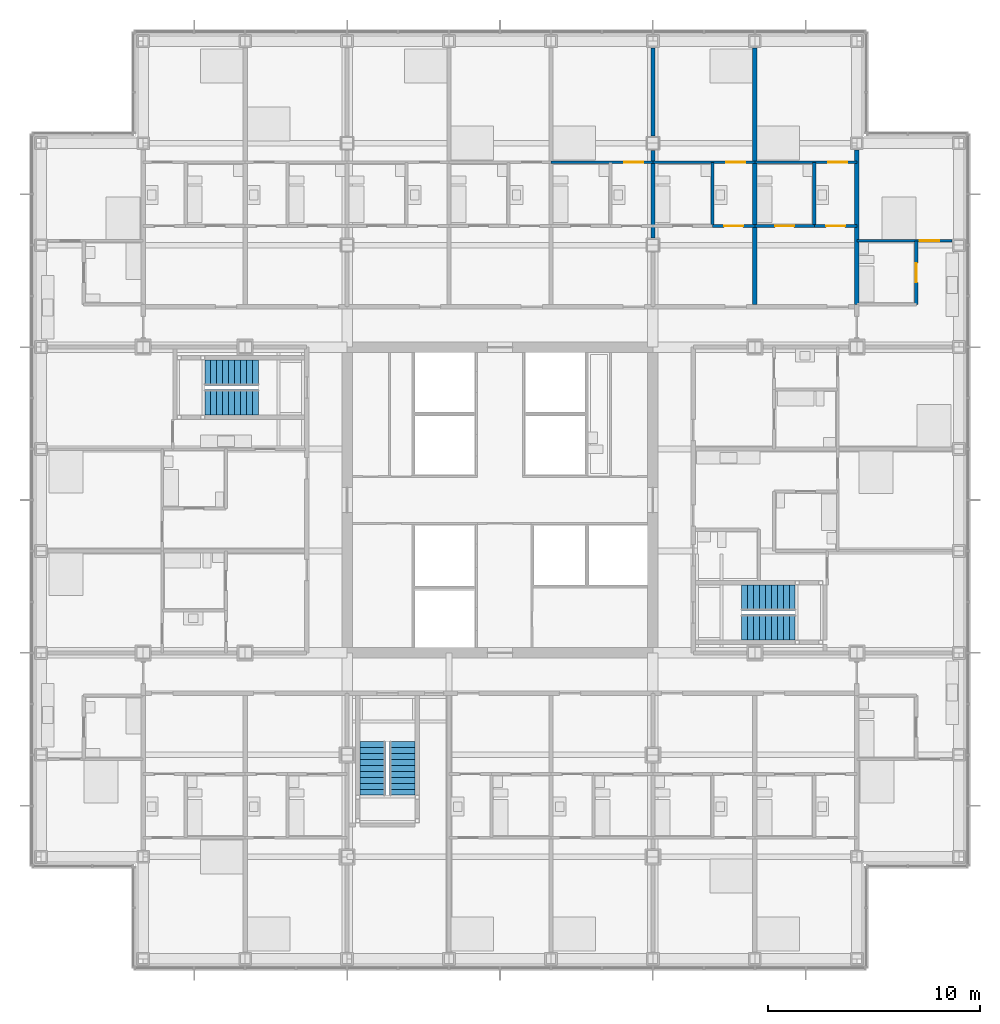
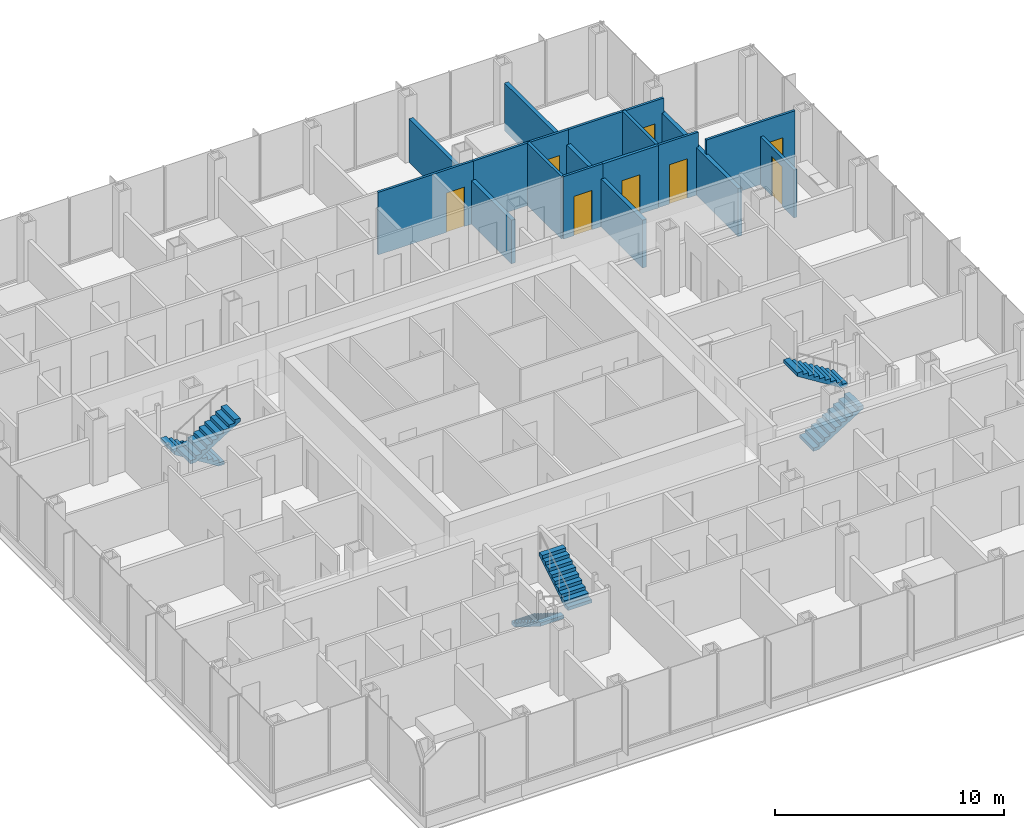
# One storey, part 19 of 22: 14 walls, 8 doors, 6 stair flights, 8 openings, 3 elements without a shape of their own.
"""IFC4 building model written with IfcOpenShell, lengths in metres."""

from ifc_helpers import new_model, si_unit, direction, frame, frame_2d, origin, place, context, subcontext, project, spatial, polyline, rectangle, outline, extrude, material, layer, layer_set, type_object, element, fill, aggregate, save


model = new_model("IFC4")

# Units and contexts
model_context = context("Model", 3, precision=1e-05, world=origin(), true_north=direction((0.0, 1.0)))
body_context = subcontext(model_context, "Body", "Model", "MODEL_VIEW")
ifc_project = project(units=[si_unit("LENGTHUNIT", "METRE"), si_unit("AREAUNIT", "SQUARE_METRE"), si_unit("VOLUMEUNIT", "CUBIC_METRE"), si_unit("PLANEANGLEUNIT", "RADIAN"), si_unit("MASSUNIT", "GRAM", prefix="KILO")], contexts=[model_context])

# Site, building, storey
site_placement = place(None, origin())
site = spatial("IfcSite", under=ifc_project, at=site_placement, CompositionType="ELEMENT")
building_placement = place(site_placement, origin())
building = spatial("IfcBuilding", under=site, at=building_placement, Name="Kvirike Care Tower", CompositionType="ELEMENT")
storey_placement = place(building_placement, frame((0.0, 0.0, 69.0)))
storey = spatial("IfcBuildingStorey", under=building, at=storey_placement, Name="L18", CompositionType="ELEMENT", Elevation=69.0)

# Wall, opening, door
ifc_material_1 = material(Name="Moisture-resistant board partition", Category="gypsum")
ifc_layer_1 = layer(ifc_material_1, 0.14990234375)
ifc_layer_set_1 = layer_set([ifc_layer_1], Name="BATHROOM WALL 150")
wall_type_1 = type_object("IfcWallType", Name="BATHROOM WALL 150", PredefinedType="PARTITIONING", material=ifc_layer_set_1)
wall_1_placement = place(storey_placement, frame((41.199951171875, 48.199951171875, 0.0), z_axis=(0.0, 0.0, 1.0), x_axis=(0.0, -1.0, 0.0)))
wall_1 = element("IfcWall", 1, at=wall_1_placement, inside=storey, type_object=wall_type_1, Name="Bathroom Wall 150 L18", PredefinedType="PARTITIONING", context=body_context, shape_type="SweptSolid", body=[
    extrude(rectangle(XDim=3.0, YDim=0.14990234375, at=frame_2d((1.5, 0.0))), origin(), (0.0, 0.0, 1.0), 2.550048828125),
])
opening_1_placement = place(wall_1_placement, frame((1.050048828125, 0.0, 0.0)))
opening_1 = element("IfcOpeningElement", 2, at=opening_1_placement, cuts=wall_1, Name="Opening 18-076", PredefinedType="OPENING", context=body_context, shape_type="SweptSolid", body=[
    extrude(rectangle(XDim=0.89990234375, YDim=2.10009765625, at=frame_2d((0.449951171875, 1.050048828125))), frame((0.0, 0.08544921875, 0.0), z_axis=(0.0, -1.0, 0.0), x_axis=(1.0, 0.0, 0.0)), (0.0, 0.0, 1.0), 0.1708984375),
])
ifc_material_2 = material(Name="Timber door set", Category="wood")
door_type_1 = type_object("IfcDoorType", Name="BATHROOM DOOR 900", OperationType="SINGLE_SWING_RIGHT", PredefinedType="DOOR", material=ifc_material_2)
door_1_placement = place(opening_1_placement, frame((0.89990234375, 0.0, 0.0), z_axis=(0.0, 0.0, 1.0), x_axis=(-1.0, 0.0, 0.0)))
door_1 = element("IfcDoor", 3, at=door_1_placement, inside=storey, type_object=door_type_1, Name="Bathroom door", OperationType="SINGLE_SWING_LEFT", OverallHeight=2.10009765625, OverallWidth=0.89990234375, PredefinedType="DOOR", context=body_context, shape_type="SweptSolid", body=[
    extrude(rectangle(XDim=0.89990234375, YDim=2.10009765625, at=frame_2d((0.449951171875, 1.050048828125))), frame((0.0, 0.02197265625, 0.0), z_axis=(0.0, -1.0, 0.0), x_axis=(1.0, 0.0, 0.0)), (0.0, 0.0, 1.0), 0.0439453125),
])
fill(opening_1, door_1)

# Wall
wall_2_placement = place(storey_placement, frame((36.39990234375, 51.89990234375, 0.0), z_axis=(0.0, 0.0, 1.0), x_axis=(0.0, -1.0, 0.0)))
element("IfcWall", 4, at=wall_2_placement, inside=storey, type_object=wall_type_1, Name="Bathroom Wall 150 L18", PredefinedType="PARTITIONING", context=body_context, shape_type="SweptSolid", body=[
    extrude(rectangle(XDim=3.0, YDim=0.14990234375, at=frame_2d((1.5, 0.0))), origin(), (0.0, 0.0, 1.0), 3.330078125),
])

# Wall, opening, door
wall_3_placement = place(storey_placement, frame((36.39990234375, 48.89990234375, 0.0), z_axis=(0.0, 0.0, 1.0), x_axis=(-1.0, 0.0, 0.0)))
wall_3 = element("IfcWall", 5, at=wall_3_placement, inside=storey, type_object=wall_type_1, Name="Bathroom Wall 150 L18", PredefinedType="PARTITIONING", context=body_context, shape_type="SweptSolid", body=[
    extrude(rectangle(XDim=2.7998046875, YDim=0.14990234375, at=frame_2d((1.39990234375, 0.0))), origin(), (0.0, 0.0, 1.0), 3.330078125),
])
opening_2_placement = place(wall_3_placement, frame((0.949951171875, 0.0, 0.0)))
opening_2 = element("IfcOpeningElement", 6, at=opening_2_placement, cuts=wall_3, Name="Opening 18-078", PredefinedType="OPENING", context=body_context, shape_type="SweptSolid", body=[
    extrude(rectangle(XDim=0.89990234375, YDim=2.10009765625, at=frame_2d((0.449951171875, 1.050048828125))), frame((0.0, 0.08544921875, 0.0), z_axis=(0.0, -1.0, 0.0), x_axis=(1.0, 0.0, 0.0)), (0.0, 0.0, 1.0), 0.1708984375),
])
door_2_placement = place(opening_2_placement, frame((0.89990234375, 0.0, 0.0), z_axis=(0.0, 0.0, 1.0), x_axis=(-1.0, 0.0, 0.0)))
door_2 = element("IfcDoor", 7, at=door_2_placement, inside=storey, type_object=door_type_1, Name="Bathroom door", OperationType="SINGLE_SWING_LEFT", OverallHeight=2.10009765625, OverallWidth=0.89990234375, PredefinedType="DOOR", context=body_context, shape_type="SweptSolid", body=[
    extrude(rectangle(XDim=0.89990234375, YDim=2.10009765625, at=frame_2d((0.449951171875, 1.050048828125))), frame((0.0, 0.02197265625, 0.0), z_axis=(0.0, -1.0, 0.0), x_axis=(1.0, 0.0, 0.0)), (0.0, 0.0, 1.0), 0.0439453125),
])
fill(opening_2, door_2)

# Wall
wall_4_placement = place(storey_placement, frame((31.60009765625, 51.89990234375, 0.0), z_axis=(0.0, 0.0, 1.0), x_axis=(0.0, -1.0, 0.0)))
element("IfcWall", 8, at=wall_4_placement, inside=storey, type_object=wall_type_1, Name="Bathroom Wall 150 L18", PredefinedType="PARTITIONING", context=body_context, shape_type="SweptSolid", body=[
    extrude(rectangle(XDim=3.0, YDim=0.14990234375, at=frame_2d((1.5, 0.0))), origin(), (0.0, 0.0, 1.0), 3.330078125),
])

# Wall, opening, door
ifc_material_3 = material(Name="Plasterboard partition", Category="gypsum")
ifc_layer_2 = layer(ifc_material_3, 0.1201171875)
ifc_layer_set_2 = layer_set([ifc_layer_2], Name="PARTITION 120")
wall_type_2 = type_object("IfcWallType", Name="PARTITION 120", PredefinedType="PARTITIONING", material=ifc_layer_set_2)
wall_5_placement = place(storey_placement, frame((28.800048828125, 51.89990234375, 0.0), z_axis=(0.0, 0.0, 1.0), x_axis=(-1.0, 0.0, 0.0)))
wall_5 = element("IfcWall", 9, at=wall_5_placement, inside=storey, type_object=wall_type_2, Name="Partition 120 L18", PredefinedType="PARTITIONING", context=body_context, shape_type="SweptSolid", body=[
    extrude(rectangle(XDim=4.800048828125, YDim=0.1201171875, at=frame_2d((2.39990234375, 0.0))), origin(), (0.0, 0.0, 1.0), 3.330078125),
])
opening_3_placement = place(wall_5_placement, frame((0.449951171875, 0.0, 0.0)))
opening_3 = element("IfcOpeningElement", 10, at=opening_3_placement, cuts=wall_5, Name="Opening 18-045", PredefinedType="OPENING", context=body_context, shape_type="SweptSolid", body=[
    extrude(rectangle(XDim=0.89990234375, YDim=2.10009765625, at=frame_2d((0.449951171875, 1.050048828125))), frame((0.0, 0.070556640625, 0.0), z_axis=(0.0, -1.0, 0.0), x_axis=(1.0, 0.0, 0.0)), (0.0, 0.0, 1.0), 0.14111328125),
])
ifc_material_4 = material(Name="Timber door set", Category="wood")
door_type_2 = type_object("IfcDoorType", Name="INTERNAL DOOR 900", OperationType="SINGLE_SWING_LEFT", PredefinedType="DOOR", material=ifc_material_4)
door_3_placement = place(opening_3_placement, origin())
door_3 = element("IfcDoor", 11, at=door_3_placement, inside=storey, type_object=door_type_2, Name="Studio apartment living room door", OperationType="SINGLE_SWING_RIGHT", OverallHeight=2.10009765625, OverallWidth=0.89990234375, PredefinedType="DOOR", context=body_context, shape_type="SweptSolid", body=[
    extrude(rectangle(XDim=0.89990234375, YDim=2.10009765625, at=frame_2d((0.449951171875, 1.050048828125))), frame((0.0, 0.02197265625, 0.0), z_axis=(0.0, -1.0, 0.0), x_axis=(1.0, 0.0, 0.0)), (0.0, 0.0, 1.0), 0.0439453125),
])
fill(opening_3, door_3)

wall_6_placement = place(storey_placement, frame((42.8798828125, 48.199951171875, 0.0), z_axis=(0.0, 0.0, 1.0), x_axis=(-1.0, 0.0, 0.0)))
wall_6 = element("IfcWall", 12, at=wall_6_placement, inside=storey, type_object=wall_type_2, Name="Partition 120 L18", PredefinedType="PARTITIONING", context=body_context, shape_type="SweptSolid", body=[
    extrude(rectangle(XDim=4.47998046875, YDim=0.1201171875, at=frame_2d((2.239990234375, 0.0))), origin(), (0.0, 0.0, 1.0), 3.330078125),
])
opening_4_placement = place(wall_6_placement, frame((0.60498046875, 0.0, 0.0)))
opening_4 = element("IfcOpeningElement", 13, at=opening_4_placement, cuts=wall_6, Name="Opening 18-077", PredefinedType="OPENING", context=body_context, shape_type="SweptSolid", body=[
    extrude(rectangle(XDim=0.89990234375, YDim=2.10009765625, at=frame_2d((0.449951171875, 1.050048828125))), frame((0.0, 0.070556640625, 0.0), z_axis=(0.0, -1.0, 0.0), x_axis=(1.0, 0.0, 0.0)), (0.0, 0.0, 1.0), 0.14111328125),
])
door_4_placement = place(opening_4_placement, origin())
door_4 = element("IfcDoor", 14, at=door_4_placement, inside=storey, type_object=door_type_2, Name="Studio apartment living room door", OperationType="SINGLE_SWING_LEFT", OverallHeight=2.10009765625, OverallWidth=0.89990234375, PredefinedType="DOOR", context=body_context, shape_type="SweptSolid", body=[
    extrude(rectangle(XDim=0.89990234375, YDim=2.10009765625, at=frame_2d((0.449951171875, 1.050048828125))), frame((0.0, 0.02197265625, 0.0), z_axis=(0.0, -1.0, 0.0), x_axis=(1.0, 0.0, 0.0)), (0.0, 0.0, 1.0), 0.0439453125),
])
fill(opening_4, door_4)

wall_7_placement = place(storey_placement, frame((38.39990234375, 48.89990234375, 0.0), z_axis=(0.0, 0.0, 1.0), x_axis=(-1.0, 0.0, 0.0)))
wall_7 = element("IfcWall", 15, at=wall_7_placement, inside=storey, type_object=wall_type_2, Name="Partition 120 L18", PredefinedType="PARTITIONING", context=body_context, shape_type="SweptSolid", body=[
    extrude(rectangle(XDim=2.0, YDim=0.1201171875, at=frame_2d((1.0, 0.0))), origin(), (0.0, 0.0, 1.0), 3.330078125),
])
opening_5_placement = place(wall_7_placement, frame((0.550048828125, 0.0, 0.0)))
opening_5 = element("IfcOpeningElement", 16, at=opening_5_placement, cuts=wall_7, Name="Opening 18-079", PredefinedType="OPENING", context=body_context, shape_type="SweptSolid", body=[
    extrude(rectangle(XDim=0.89990234375, YDim=2.10009765625, at=frame_2d((0.449951171875, 1.050048828125))), frame((0.0, 0.070556640625, 0.0), z_axis=(0.0, -1.0, 0.0), x_axis=(1.0, 0.0, 0.0)), (0.0, 0.0, 1.0), 0.14111328125),
])
door_5_placement = place(opening_5_placement, frame((0.89990234375, 0.0, 0.0), z_axis=(0.0, 0.0, 1.0), x_axis=(-1.0, 0.0, 0.0)))
door_5 = element("IfcDoor", 17, at=door_5_placement, inside=storey, type_object=door_type_2, Name="Kitchen door", OperationType="SINGLE_SWING_RIGHT", OverallHeight=2.10009765625, OverallWidth=0.89990234375, PredefinedType="DOOR", context=body_context, shape_type="SweptSolid", body=[
    extrude(rectangle(XDim=0.89990234375, YDim=2.10009765625, at=frame_2d((0.449951171875, 1.050048828125))), frame((0.0, 0.02197265625, 0.0), z_axis=(0.0, -1.0, 0.0), x_axis=(1.0, 0.0, 0.0)), (0.0, 0.0, 1.0), 0.0439453125),
])
fill(opening_5, door_5)

wall_8_placement = place(storey_placement, frame((38.39990234375, 51.89990234375, 0.0), z_axis=(0.0, 0.0, 1.0), x_axis=(-1.0, 0.0, 0.0)))
wall_8 = element("IfcWall", 18, at=wall_8_placement, inside=storey, type_object=wall_type_2, Name="Partition 120 L18", PredefinedType="PARTITIONING", context=body_context, shape_type="SweptSolid", body=[
    extrude(rectangle(XDim=4.7998046875, YDim=0.1201171875, at=frame_2d((2.39990234375, 0.0))), origin(), (0.0, 0.0, 1.0), 3.330078125),
])
opening_6_placement = place(wall_8_placement, frame((0.449951171875, 0.0, 0.0)))
opening_6 = element("IfcOpeningElement", 19, at=opening_6_placement, cuts=wall_8, Name="Opening 18-080", PredefinedType="OPENING", context=body_context, shape_type="SweptSolid", body=[
    extrude(rectangle(XDim=0.89990234375, YDim=2.10009765625, at=frame_2d((0.449951171875, 1.050048828125))), frame((0.0, 0.070556640625, 0.0), z_axis=(0.0, -1.0, 0.0), x_axis=(1.0, 0.0, 0.0)), (0.0, 0.0, 1.0), 0.14111328125),
])
door_6_placement = place(opening_6_placement, origin())
door_6 = element("IfcDoor", 20, at=door_6_placement, inside=storey, type_object=door_type_2, Name="Studio apartment living room door", OperationType="SINGLE_SWING_RIGHT", OverallHeight=2.10009765625, OverallWidth=0.89990234375, PredefinedType="DOOR", context=body_context, shape_type="SweptSolid", body=[
    extrude(rectangle(XDim=0.89990234375, YDim=2.10009765625, at=frame_2d((0.449951171875, 1.050048828125))), frame((0.0, 0.02197265625, 0.0), z_axis=(0.0, -1.0, 0.0), x_axis=(1.0, 0.0, 0.0)), (0.0, 0.0, 1.0), 0.0439453125),
])
fill(opening_6, door_6)

wall_9_placement = place(storey_placement, frame((33.60009765625, 48.89990234375, 0.0), z_axis=(0.0, 0.0, 1.0), x_axis=(-1.0, 0.0, 0.0)))
wall_9 = element("IfcWall", 21, at=wall_9_placement, inside=storey, type_object=wall_type_2, Name="Partition 120 L18", PredefinedType="PARTITIONING", context=body_context, shape_type="SweptSolid", body=[
    extrude(rectangle(XDim=2.0, YDim=0.1201171875, at=frame_2d((1.0, 0.0))), origin(), (0.0, 0.0, 1.0), 3.330078125),
])
opening_7_placement = place(wall_9_placement, frame((0.550048828125, 0.0, 0.0)))
opening_7 = element("IfcOpeningElement", 22, at=opening_7_placement, cuts=wall_9, Name="Opening 18-082", PredefinedType="OPENING", context=body_context, shape_type="SweptSolid", body=[
    extrude(rectangle(XDim=0.89990234375, YDim=2.10009765625, at=frame_2d((0.449951171875, 1.050048828125))), frame((0.0, 0.070556640625, 0.0), z_axis=(0.0, -1.0, 0.0), x_axis=(1.0, 0.0, 0.0)), (0.0, 0.0, 1.0), 0.14111328125),
])
door_7_placement = place(opening_7_placement, frame((0.89990234375, 0.0, 0.0), z_axis=(0.0, 0.0, 1.0), x_axis=(-1.0, 0.0, 0.0)))
door_7 = element("IfcDoor", 23, at=door_7_placement, inside=storey, type_object=door_type_2, Name="Kitchen door", OperationType="SINGLE_SWING_RIGHT", OverallHeight=2.10009765625, OverallWidth=0.89990234375, PredefinedType="DOOR", context=body_context, shape_type="SweptSolid", body=[
    extrude(rectangle(XDim=0.89990234375, YDim=2.10009765625, at=frame_2d((0.449951171875, 1.050048828125))), frame((0.0, 0.02197265625, 0.0), z_axis=(0.0, -1.0, 0.0), x_axis=(1.0, 0.0, 0.0)), (0.0, 0.0, 1.0), 0.0439453125),
])
fill(opening_7, door_7)

wall_10_placement = place(storey_placement, frame((33.60009765625, 51.89990234375, 0.0), z_axis=(0.0, 0.0, 1.0), x_axis=(-1.0, 0.0, 0.0)))
wall_10 = element("IfcWall", 24, at=wall_10_placement, inside=storey, type_object=wall_type_2, Name="Partition 120 L18", PredefinedType="PARTITIONING", context=body_context, shape_type="SweptSolid", body=[
    extrude(rectangle(XDim=4.800048828125, YDim=0.1201171875, at=frame_2d((2.39990234375, 0.0))), origin(), (0.0, 0.0, 1.0), 3.330078125),
])
opening_8_placement = place(wall_10_placement, frame((0.449951171875, 0.0, 0.0)))
opening_8 = element("IfcOpeningElement", 25, at=opening_8_placement, cuts=wall_10, Name="Opening 18-083", PredefinedType="OPENING", context=body_context, shape_type="SweptSolid", body=[
    extrude(rectangle(XDim=0.89990234375, YDim=2.10009765625, at=frame_2d((0.449951171875, 1.050048828125))), frame((0.0, 0.070556640625, 0.0), z_axis=(0.0, -1.0, 0.0), x_axis=(1.0, 0.0, 0.0)), (0.0, 0.0, 1.0), 0.14111328125),
])
door_8_placement = place(opening_8_placement, origin())
door_8 = element("IfcDoor", 26, at=door_8_placement, inside=storey, type_object=door_type_2, Name="Studio apartment living room door", OperationType="SINGLE_SWING_RIGHT", OverallHeight=2.10009765625, OverallWidth=0.89990234375, PredefinedType="DOOR", context=body_context, shape_type="SweptSolid", body=[
    extrude(rectangle(XDim=0.89990234375, YDim=2.10009765625, at=frame_2d((0.449951171875, 1.050048828125))), frame((0.0, 0.02197265625, 0.0), z_axis=(0.0, -1.0, 0.0), x_axis=(1.0, 0.0, 0.0)), (0.0, 0.0, 1.0), 0.0439453125),
])
fill(opening_8, door_8)

# Walls
ifc_material_5 = material(Name="Plasterboard party wall", Category="gypsum")
ifc_layer_3 = layer(ifc_material_5, 0.199951171875)
ifc_layer_set_3 = layer_set([ifc_layer_3], Name="PARTY WALL 200")
wall_type_3 = type_object("IfcWallType", Name="PARTY WALL 200", PredefinedType="PARTITIONING", material=ifc_layer_set_3)
wall_11_placement = place(storey_placement, frame((38.39990234375, 52.47998046875, 0.0), z_axis=(0.0, 0.0, 1.0), x_axis=(0.0, -1.0, 0.0)))
element("IfcWall", 27, at=wall_11_placement, inside=storey, type_object=wall_type_3, Name="Party Wall 200 L18", PredefinedType="PARTITIONING", context=body_context, shape_type="SweptSolid", body=[
    extrude(rectangle(XDim=7.280029296875, YDim=0.199951171875, at=frame_2d((3.64013671875, 0.0))), origin(), (0.0, 0.0, 1.0), 2.550048828125),
])
wall_12_placement = place(storey_placement, frame((33.60009765625, 57.280029296875, 0.0), z_axis=(0.0, 0.0, 1.0), x_axis=(0.0, -1.0, 0.0)))
element("IfcWall", 28, at=wall_12_placement, inside=storey, type_object=wall_type_3, Name="Party Wall 200 L18", PredefinedType="PARTITIONING", context=body_context, shape_type="SweptSolid", body=[
    extrude(rectangle(XDim=12.080078125, YDim=0.199951171875, at=frame_2d((6.0400390625, 0.0))), origin(), (0.0, 0.0, 1.0), 2.550048828125),
])
wall_13_placement = place(storey_placement, frame((28.800048828125, 48.344970703125, 0.0), z_axis=(0.0, 0.0, 1.0), x_axis=(0.0, 1.0, 0.0)))
element("IfcWall", 29, at=wall_13_placement, inside=storey, type_object=wall_type_3, Name="Party Wall 200 L18", PredefinedType="PARTITIONING", context=body_context, shape_type="SweptSolid", body=[
    extrude(rectangle(XDim=4.110107421875, YDim=0.199951171875, at=frame_2d((2.05517578125, 0.0))), origin(), (0.0, 0.0, 1.0), 2.320068359375),
])
wall_14_placement = place(storey_placement, frame((28.800048828125, 53.14501953125, 0.0), z_axis=(0.0, 0.0, 1.0), x_axis=(0.0, 1.0, 0.0)))
element("IfcWall", 30, at=wall_14_placement, inside=storey, type_object=wall_type_3, Name="Party Wall 200 L18", PredefinedType="PARTITIONING", context=body_context, shape_type="SweptSolid", body=[
    extrude(rectangle(XDim=4.135009765625, YDim=0.199951171875, at=frame_2d((2.0673828125, 0.0))), origin(), (0.0, 0.0, 1.0), 2.320068359375),
])

# Stair, stair flights
ifc_material_6 = material(Name="Concrete C35/45", Category="concrete")
stair_type = type_object("IfcStairType", Name="STAIR 20 RISERS", PredefinedType="HALF_TURN_STAIR", material=ifc_material_6)
stair_1_placement = place(storey_placement, origin())
stair_1 = element("IfcStair", 31, at=stair_1_placement, inside=storey, type_object=stair_type, Name="Stair 1 L18", PredefinedType="HALF_TURN_STAIR")
ifc_material_7 = material(Name="Concrete C35/45", Category="concrete")
stair_flight_type = type_object("IfcStairFlightType", Name="FLIGHT 10 RISERS", PredefinedType="STRAIGHT", material=ifc_material_7)
stair_flight_1_placement = place(storey_placement, frame((10.219970703125, 42.0, 0.0), z_axis=(0.0, 0.0, 1.0), x_axis=(-1.0, 0.0, 0.0)))
stair_flight_1 = element("IfcStairFlight", 32, at=stair_flight_1_placement, type_object=stair_flight_type, Name="Stair S1 flight 1 L18-L19", NumberOfRisers=10, NumberOfTreads=9, PredefinedType="STRAIGHT", RiserHeight=0.175, TreadLength=0.28, context=body_context, shape_type="SweptSolid", body=[
    extrude(outline(polyline([(0.0, 0.0), (0.0, 0.175048828125), (0.280029296875, 0.175048828125), (0.280029296875, 0.35009765625), (0.56005859375, 0.35009765625), (0.56005859375, 0.52490234375), (0.840087890625, 0.52490234375), (0.840087890625, 0.699951171875), (1.1201171875, 0.699951171875), (1.1201171875, 0.875), (1.39990234375, 0.875), (1.39990234375, 1.050048828125), (1.679931640625, 1.050048828125), (1.679931640625, 1.22509765625), (1.9599609375, 1.22509765625), (1.9599609375, 1.39990234375), (2.239990234375, 1.39990234375), (2.239990234375, 1.574951171875), (2.52001953125, 1.574951171875), (2.52001953125, 1.75), (2.52001953125, 1.398193359375), (0.28271484375, 0.0), (0.0, 0.0)])), frame((0.0, 0.60009765625, 0.0), z_axis=(0.0, -1.0, 0.0), x_axis=(1.0, 0.0, 0.0)), (0.0, 0.0, 1.0), 1.199951171875),
])
stair_flight_2_placement = place(storey_placement, frame((7.699951171875, 40.60009765625, 1.75), z_axis=(0.0, 0.0, 1.0), x_axis=(1.0, 0.0, 0.0)))
stair_flight_2 = element("IfcStairFlight", 33, at=stair_flight_2_placement, type_object=stair_flight_type, Name="Stair S1 flight 2 L18-L19", NumberOfRisers=10, NumberOfTreads=9, PredefinedType="STRAIGHT", RiserHeight=0.175, TreadLength=0.28, context=body_context, shape_type="SweptSolid", body=[
    extrude(outline(polyline([(0.0, 0.0), (0.0, 0.175048828125), (0.280029296875, 0.175048828125), (0.280029296875, 0.35009765625), (0.56005859375, 0.35009765625), (0.56005859375, 0.52490234375), (0.840087890625, 0.52490234375), (0.840087890625, 0.699951171875), (1.1201171875, 0.699951171875), (1.1201171875, 0.875), (1.39990234375, 0.875), (1.39990234375, 1.050048828125), (1.679931640625, 1.050048828125), (1.679931640625, 1.22509765625), (1.9599609375, 1.22509765625), (1.9599609375, 1.39990234375), (2.239990234375, 1.39990234375), (2.239990234375, 1.574951171875), (2.52001953125, 1.574951171875), (2.52001953125, 1.75), (2.52001953125, 1.398193359375), (0.28271484375, 0.0), (0.0, 0.0)])), frame((0.0, 0.60009765625, 0.0), z_axis=(0.0, -1.0, 0.0), x_axis=(1.0, 0.0, 0.0)), (0.0, 0.0, 1.0), 1.199951171875),
])
aggregate(stair_1, [stair_flight_1, stair_flight_2])

stair_2_placement = place(storey_placement, origin())
stair_2 = element("IfcStair", 34, at=stair_2_placement, inside=storey, type_object=stair_type, Name="Stair 2 L18", PredefinedType="HALF_TURN_STAIR")
stair_flight_3_placement = place(storey_placement, frame((32.97998046875, 30.0, 0.0), z_axis=(0.0, 0.0, 1.0), x_axis=(1.0, 0.0, 0.0)))
stair_flight_3 = element("IfcStairFlight", 35, at=stair_flight_3_placement, type_object=stair_flight_type, Name="Stair S2 flight 1 L18-L19", NumberOfRisers=10, NumberOfTreads=9, PredefinedType="STRAIGHT", RiserHeight=0.175, TreadLength=0.28, context=body_context, shape_type="SweptSolid", body=[
    extrude(outline(polyline([(0.0, 0.0), (0.0, 0.175048828125), (0.280029296875, 0.175048828125), (0.280029296875, 0.35009765625), (0.56005859375, 0.35009765625), (0.56005859375, 0.52490234375), (0.840087890625, 0.52490234375), (0.840087890625, 0.699951171875), (1.1201171875, 0.699951171875), (1.1201171875, 0.875), (1.39990234375, 0.875), (1.39990234375, 1.050048828125), (1.679931640625, 1.050048828125), (1.679931640625, 1.22509765625), (1.9599609375, 1.22509765625), (1.9599609375, 1.39990234375), (2.239990234375, 1.39990234375), (2.239990234375, 1.574951171875), (2.52001953125, 1.574951171875), (2.52001953125, 1.75), (2.52001953125, 1.398193359375), (0.28271484375, 0.0), (0.0, 0.0)])), frame((0.0, 0.60009765625, 0.0), z_axis=(0.0, -1.0, 0.0), x_axis=(1.0, 0.0, 0.0)), (0.0, 0.0, 1.0), 1.199951171875),
])
stair_flight_4_placement = place(storey_placement, frame((35.5, 31.39990234375, 1.75), z_axis=(0.0, 0.0, 1.0), x_axis=(-1.0, 0.0, 0.0)))
stair_flight_4 = element("IfcStairFlight", 36, at=stair_flight_4_placement, type_object=stair_flight_type, Name="Stair S2 flight 2 L18-L19", NumberOfRisers=10, NumberOfTreads=9, PredefinedType="STRAIGHT", RiserHeight=0.175, TreadLength=0.28, context=body_context, shape_type="SweptSolid", body=[
    extrude(outline(polyline([(0.0, 0.0), (0.0, 0.175048828125), (0.280029296875, 0.175048828125), (0.280029296875, 0.35009765625), (0.56005859375, 0.35009765625), (0.56005859375, 0.52490234375), (0.840087890625, 0.52490234375), (0.840087890625, 0.699951171875), (1.1201171875, 0.699951171875), (1.1201171875, 0.875), (1.39990234375, 0.875), (1.39990234375, 1.050048828125), (1.679931640625, 1.050048828125), (1.679931640625, 1.22509765625), (1.9599609375, 1.22509765625), (1.9599609375, 1.39990234375), (2.239990234375, 1.39990234375), (2.239990234375, 1.574951171875), (2.52001953125, 1.574951171875), (2.52001953125, 1.75), (2.52001953125, 1.398193359375), (0.28271484375, 0.0), (0.0, 0.0)])), frame((0.0, 0.60009765625, 0.0), z_axis=(0.0, -1.0, 0.0), x_axis=(1.0, 0.0, 0.0)), (0.0, 0.0, 1.0), 1.199951171875),
])
aggregate(stair_2, [stair_flight_3, stair_flight_4])

stair_3_placement = place(storey_placement, origin())
stair_3 = element("IfcStair", 37, at=stair_3_placement, inside=storey, type_object=stair_type, Name="Stair 5 L18", PredefinedType="HALF_TURN_STAIR")
stair_flight_5_placement = place(storey_placement, frame((15.60009765625, 24.6201171875, 0.0), z_axis=(0.0, 0.0, 1.0), x_axis=(0.0, -1.0, 0.0)))
stair_flight_5 = element("IfcStairFlight", 38, at=stair_flight_5_placement, type_object=stair_flight_type, Name="Stair S5 flight 1 L18-L19", NumberOfRisers=10, NumberOfTreads=9, PredefinedType="STRAIGHT", RiserHeight=0.175, TreadLength=0.28, context=body_context, shape_type="SweptSolid", body=[
    extrude(outline(polyline([(0.0, 0.0), (0.0, 0.175048828125), (0.280029296875, 0.175048828125), (0.280029296875, 0.35009765625), (0.56005859375, 0.35009765625), (0.56005859375, 0.52490234375), (0.840087890625, 0.52490234375), (0.840087890625, 0.699951171875), (1.1201171875, 0.699951171875), (1.1201171875, 0.875), (1.39990234375, 0.875), (1.39990234375, 1.050048828125), (1.679931640625, 1.050048828125), (1.679931640625, 1.22509765625), (1.9599609375, 1.22509765625), (1.9599609375, 1.39990234375), (2.239990234375, 1.39990234375), (2.239990234375, 1.574951171875), (2.52001953125, 1.574951171875), (2.52001953125, 1.75), (2.52001953125, 1.398193359375), (0.28271484375, 0.0), (0.0, 0.0)])), frame((0.0, 0.60009765625, 0.0), z_axis=(0.0, -1.0, 0.0), x_axis=(1.0, 0.0, 0.0)), (0.0, 0.0, 1.0), 1.199951171875),
])
stair_flight_6_placement = place(storey_placement, frame((17.0, 22.10009765625, 1.75), z_axis=(0.0, 0.0, 1.0), x_axis=(0.0, 1.0, 0.0)))
stair_flight_6 = element("IfcStairFlight", 39, at=stair_flight_6_placement, type_object=stair_flight_type, Name="Stair S5 flight 2 L18-L19", NumberOfRisers=10, NumberOfTreads=9, PredefinedType="STRAIGHT", RiserHeight=0.175, TreadLength=0.28, context=body_context, shape_type="SweptSolid", body=[
    extrude(outline(polyline([(0.0, 0.0), (0.0, 0.175048828125), (0.280029296875, 0.175048828125), (0.280029296875, 0.35009765625), (0.56005859375, 0.35009765625), (0.56005859375, 0.52490234375), (0.840087890625, 0.52490234375), (0.840087890625, 0.699951171875), (1.1201171875, 0.699951171875), (1.1201171875, 0.875), (1.39990234375, 0.875), (1.39990234375, 1.050048828125), (1.679931640625, 1.050048828125), (1.679931640625, 1.22509765625), (1.9599609375, 1.22509765625), (1.9599609375, 1.39990234375), (2.239990234375, 1.39990234375), (2.239990234375, 1.574951171875), (2.52001953125, 1.574951171875), (2.52001953125, 1.75), (2.52001953125, 1.398193359375), (0.28271484375, 0.0), (0.0, 0.0)])), frame((0.0, 0.60009765625, 0.0), z_axis=(0.0, -1.0, 0.0), x_axis=(1.0, 0.0, 0.0)), (0.0, 0.0, 1.0), 1.199951171875),
])
aggregate(stair_3, [stair_flight_5, stair_flight_6])

save(model, "model.ifc")
